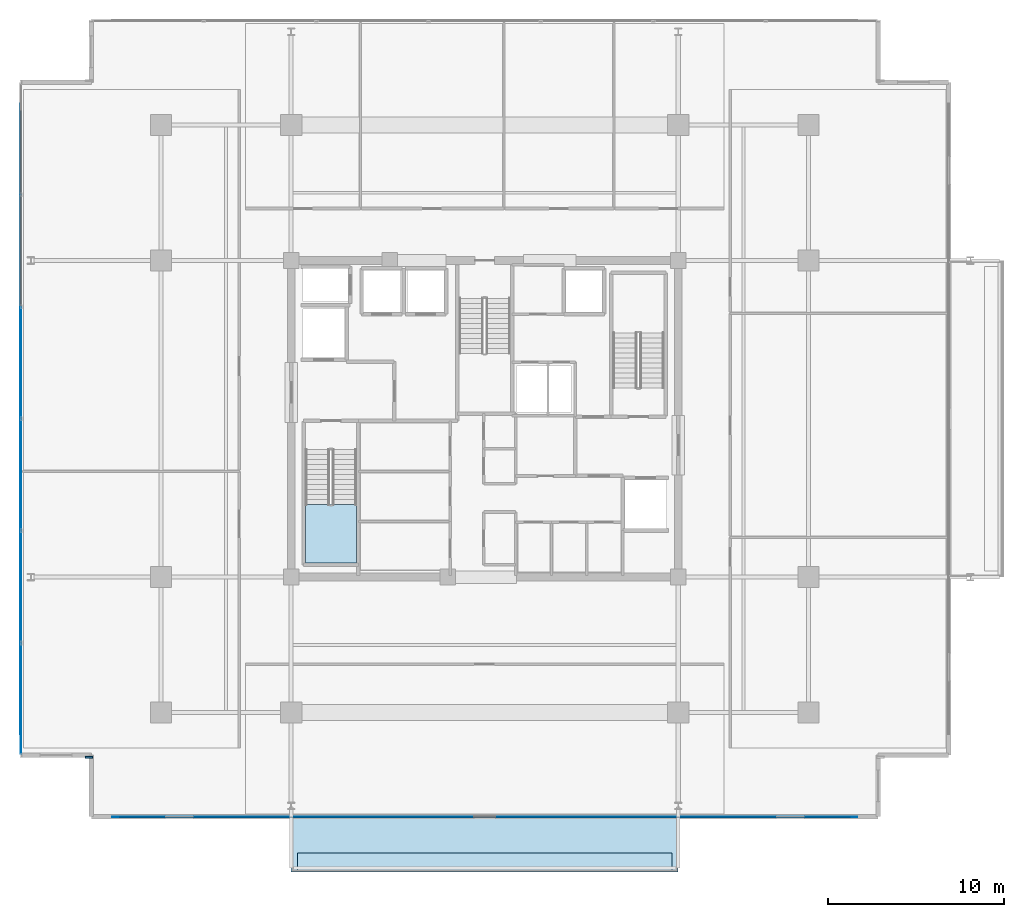
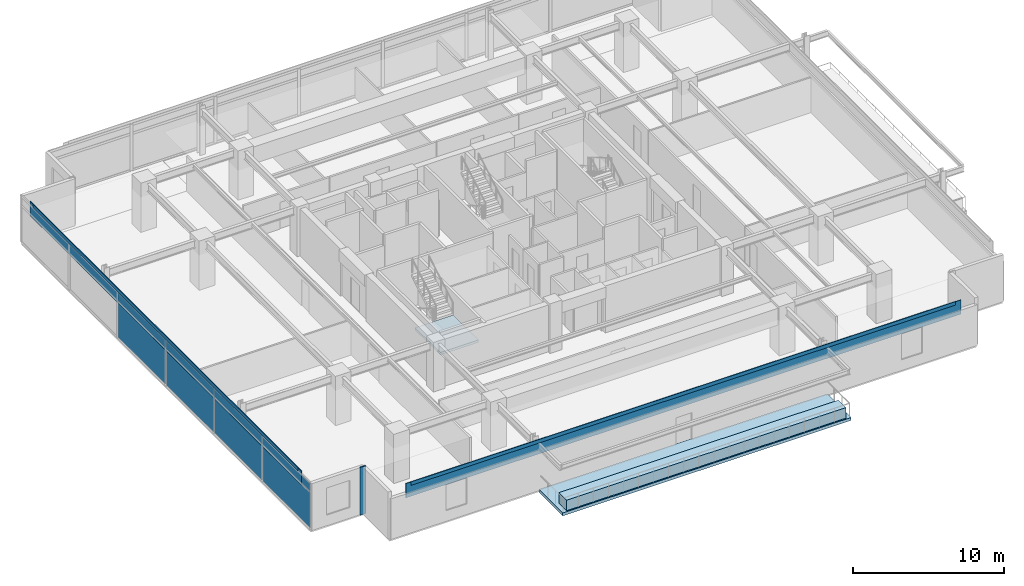
# One storey, part 13 of 24: 13 plates, 3 slabs, 2 elements without a shape of their own.
"""IFC4 building model written with IfcOpenShell, lengths in metres."""

from ifc_helpers import new_model, si_unit, direction, frame, origin, origin_2d, place, context, subcontext, project, spatial, polyline, rectangle, outline, extrude, material, layer, layer_set, type_object, element, aggregate, save


model = new_model("IFC4")

# Units and contexts
model_context = context("Model", 3, precision=1e-05, world=origin(), true_north=direction((0.0, 1.0)))
body_context = subcontext(model_context, "Body", "Model", "MODEL_VIEW")
ifc_project = project(units=[si_unit("LENGTHUNIT", "METRE"), si_unit("AREAUNIT", "SQUARE_METRE"), si_unit("VOLUMEUNIT", "CUBIC_METRE"), si_unit("PLANEANGLEUNIT", "RADIAN"), si_unit("MASSUNIT", "GRAM", prefix="KILO")], contexts=[model_context])

# Site, building, storey
site_placement = place(None, origin())
site = spatial("IfcSite", under=ifc_project, at=site_placement, CompositionType="ELEMENT")
building_placement = place(site_placement, origin())
building = spatial("IfcBuilding", under=site, at=building_placement, Name="Kovane Verandah Tower", CompositionType="ELEMENT")
storey_placement = place(building_placement, frame((0.0, 0.0, 259.199951171875)))
storey = spatial("IfcBuildingStorey", under=building, at=storey_placement, Name="L60", CompositionType="ELEMENT", Elevation=259.199951171875)

# Curtain wall, plates
ifc_material_1 = material(Name="Champagne Anodised Aluminium Frame with Low-E Clear Laminated Glass", Category="aluminium")
curtain_wall_type = type_object("IfcCurtainWallType", Name="CW-SYS-05-HIGH", PredefinedType="NOTDEFINED", material=ifc_material_1)
curtain_wall_placement = place(storey_placement, origin())
curtain_wall = element("IfcCurtainWall", 1, at=curtain_wall_placement, inside=storey, type_object=curtain_wall_type, Name="L60 W Unitised Curtain Wall", PredefinedType="NOTDEFINED")
ifc_material_2 = material(Name="Pale Champagne Anodised Aluminium Insulated Spandrel", Category="aluminium")
ifc_layer_1 = layer(ifc_material_2, 0.0400390625)
ifc_layer_set_1 = layer_set([ifc_layer_1], Name="Pale Champagne Anodised Aluminium Insulated Spandrel")
plate_type_1 = type_object("IfcPlateType", Name="PL-CW-SPD-40", PredefinedType="SHEET", material=ifc_layer_set_1)
plate_1_placement = place(storey_placement, frame((13.633544921875, 30.686279296875, 3.05517578125), z_axis=(0.0, 0.0, 1.0), x_axis=(0.0, -1.0, 0.0)))
plate_1 = element("IfcPlate", 2, at=plate_1_placement, type_object=plate_type_1, Name="L60 W Unitised Curtain Wall Spandrel Panel 3", PredefinedType="SHEET", context=body_context, shape_type="SweptSolid", body=[
    extrude(rectangle(XDim=6.232666015625, YDim=0.0400390625, at=origin_2d()), origin(), (0.0, 0.0, 1.0), 0.639892578125),
])
plate_2_placement = place(storey_placement, frame((13.633544921875, 24.313720703125, 3.05517578125), z_axis=(0.0, 0.0, 1.0), x_axis=(0.0, -1.0, 0.0)))
plate_2 = element("IfcPlate", 3, at=plate_2_placement, type_object=plate_type_1, Name="L60 W Unitised Curtain Wall Spandrel Panel 4", PredefinedType="SHEET", context=body_context, shape_type="SweptSolid", body=[
    extrude(rectangle(XDim=6.232666015625, YDim=0.0400390625, at=origin_2d()), origin(), (0.0, 0.0, 1.0), 0.639892578125),
])
plate_3_placement = place(storey_placement, frame((13.633544921875, 17.94091796875, 3.05517578125), z_axis=(0.0, 0.0, 1.0), x_axis=(0.0, -1.0, 0.0)))
plate_3 = element("IfcPlate", 4, at=plate_3_placement, type_object=plate_type_1, Name="L60 W Unitised Curtain Wall Spandrel Panel 5", PredefinedType="SHEET", context=body_context, shape_type="SweptSolid", body=[
    extrude(rectangle(XDim=6.232666015625, YDim=0.0400390625, at=origin_2d()), origin(), (0.0, 0.0, 1.0), 0.639892578125),
])
plate_4_placement = place(storey_placement, frame((13.633544921875, 11.568115234375, 3.05517578125), z_axis=(0.0, 0.0, 1.0), x_axis=(0.0, -1.0, 0.0)))
plate_4 = element("IfcPlate", 5, at=plate_4_placement, type_object=plate_type_1, Name="L60 W Unitised Curtain Wall Spandrel Panel 6", PredefinedType="SHEET", context=body_context, shape_type="SweptSolid", body=[
    extrude(rectangle(XDim=6.232666015625, YDim=0.0400390625, at=origin_2d()), origin(), (0.0, 0.0, 1.0), 0.639892578125),
])
ifc_material_3 = material(Name="Clear Low-E Laminated Double Glazing", Category="glass")
ifc_layer_2 = layer(ifc_material_3, 0.031982421875)
ifc_layer_set_2 = layer_set([ifc_layer_2], Name="Clear Low-E Laminated Double Glazing")
plate_type_2 = type_object("IfcPlateType", Name="PL-CW-VIS-32", PredefinedType="CURTAIN_PANEL", material=ifc_layer_set_2)
plate_5_placement = place(storey_placement, frame((13.633544921875, 30.686279296875, 0.10009765625), z_axis=(0.0, 0.0, 1.0), x_axis=(0.0, -1.0, 0.0)))
plate_5 = element("IfcPlate", 6, at=plate_5_placement, type_object=plate_type_2, Name="L60 W Unitised Curtain Wall Vision Panel 3", PredefinedType="CURTAIN_PANEL", context=body_context, shape_type="SweptSolid", body=[
    extrude(rectangle(XDim=6.232666015625, YDim=0.031982421875, at=origin_2d()), origin(), (0.0, 0.0, 1.0), 2.85498046875),
])
plate_6_placement = place(storey_placement, frame((13.633544921875, 24.313720703125, 0.10009765625), z_axis=(0.0, 0.0, 1.0), x_axis=(0.0, -1.0, 0.0)))
plate_6 = element("IfcPlate", 7, at=plate_6_placement, type_object=plate_type_2, Name="L60 W Unitised Curtain Wall Vision Panel 4", PredefinedType="CURTAIN_PANEL", context=body_context, shape_type="SweptSolid", body=[
    extrude(rectangle(XDim=6.232666015625, YDim=0.031982421875, at=origin_2d()), origin(), (0.0, 0.0, 1.0), 2.85498046875),
])
plate_7_placement = place(storey_placement, frame((13.633544921875, 17.94091796875, 0.10009765625), z_axis=(0.0, 0.0, 1.0), x_axis=(0.0, -1.0, 0.0)))
plate_7 = element("IfcPlate", 8, at=plate_7_placement, type_object=plate_type_2, Name="L60 W Unitised Curtain Wall Vision Panel 5", PredefinedType="CURTAIN_PANEL", context=body_context, shape_type="SweptSolid", body=[
    extrude(rectangle(XDim=6.232666015625, YDim=0.031982421875, at=origin_2d()), origin(), (0.0, 0.0, 1.0), 2.85498046875),
])
plate_8_placement = place(storey_placement, frame((13.633544921875, 11.568115234375, 0.10009765625), z_axis=(0.0, 0.0, 1.0), x_axis=(0.0, -1.0, 0.0)))
plate_8 = element("IfcPlate", 9, at=plate_8_placement, type_object=plate_type_2, Name="L60 W Unitised Curtain Wall Vision Panel 6", PredefinedType="CURTAIN_PANEL", context=body_context, shape_type="SweptSolid", body=[
    extrude(rectangle(XDim=6.232666015625, YDim=0.031982421875, at=origin_2d()), origin(), (0.0, 0.0, 1.0), 2.85498046875),
])
aggregate(curtain_wall, [plate_5, plate_1, plate_6, plate_2, plate_7, plate_3, plate_8, plate_4])

# Plates
ifc_material_4 = material(Name="Timber-Toned Subtropical Aluminium Vertical Blade", Category="wood")
ifc_layer_3 = layer(ifc_material_4, 0.090087890625)
ifc_layer_set_3 = layer_set([ifc_layer_3], Name="Timber-Toned Subtropical Aluminium Vertical Blade")
plate_type_3 = type_object("IfcPlateType", Name="PL-FIN-90", PredefinedType="USERDEFINED", material=ifc_layer_set_3)
plate_9_placement = place(storey_placement, frame((17.513427734375, 8.26171875, -0.02001953125), z_axis=(0.0, 0.0, 1.0), x_axis=(1.0, 0.0, 0.0)))
element("IfcPlate", 10, at=plate_9_placement, inside=storey, type_object=plate_type_3, Name="L60 SW Timber-Toned Vertical Corner Fin", ObjectType="FIN", PredefinedType="USERDEFINED", context=body_context, shape_type="SweptSolid", body=[
    extrude(rectangle(XDim=0.419921875, YDim=0.090087890625, at=origin_2d()), origin(), (0.0, 0.0, 1.0), 3.844970703125),
])
ifc_material_5 = material(Name="Perforated Pale Champagne Anodised Aluminium Solar Screen", Category="aluminium")
ifc_layer_4 = layer(ifc_material_5, 0.050048828125)
ifc_layer_set_4 = layer_set([ifc_layer_4], Name="Perforated Pale Champagne Anodised Aluminium Solar Screen")
plate_type_4 = type_object("IfcPlateType", Name="PL-SCREEN-50", PredefinedType="USERDEFINED", material=ifc_layer_set_4)
plate_10_placement = place(storey_placement, frame((40.0, 4.86669921875, 2.885009765625), z_axis=(0.0, 0.0, 1.0), x_axis=(1.0, 0.0, 0.0)))
element("IfcPlate", 11, at=plate_10_placement, inside=storey, type_object=plate_type_4, Name="L60 S Perforated Champagne-Gold Solar Screen", ObjectType="SCREEN", PredefinedType="USERDEFINED", context=body_context, shape_type="SweptSolid", body=[
    extrude(rectangle(XDim=42.3330078125, YDim=0.050048828125, at=origin_2d()), origin(), (0.0, 0.0, 1.0), 1.14990234375),
])
plate_11_placement = place(storey_placement, frame((13.618408203125, 27.5, 2.885009765625), z_axis=(0.0, 0.0, 1.0), x_axis=(0.0, -1.0, 0.0)))
element("IfcPlate", 12, at=plate_11_placement, inside=storey, type_object=plate_type_4, Name="L60 W Perforated Champagne-Gold Solar Screen", ObjectType="SCREEN", PredefinedType="USERDEFINED", context=body_context, shape_type="SweptSolid", body=[
    extrude(rectangle(XDim=35.8359375, YDim=0.050048828125, at=origin_2d()), origin(), (0.0, 0.0, 1.0), 1.14990234375),
])
ifc_material_6 = material(Name="Extruded Pale-Bronze Aluminium Aerofoil Sunshade", Category="aluminium")
ifc_layer_5 = layer(ifc_material_6, 0.06005859375)
ifc_layer_set_5 = layer_set([ifc_layer_5], Name="Extruded Pale-Bronze Aluminium Aerofoil Sunshade")
plate_type_5 = type_object("IfcPlateType", Name="PL-SUNSHADE-60", PredefinedType="USERDEFINED", material=ifc_layer_set_5)
plate_12_placement = place(storey_placement, frame((40.0, 4.86181640625, 3.76513671875), z_axis=(0.0, 0.0, 1.0), x_axis=(1.0, 0.0, 0.0)))
element("IfcPlate", 13, at=plate_12_placement, inside=storey, type_object=plate_type_5, Name="L60 S Subtropical Aerofoil Sunshade", ObjectType="SUNSHADE", PredefinedType="USERDEFINED", context=body_context, shape_type="SweptSolid", body=[
    extrude(rectangle(XDim=41.532958984375, YDim=0.06005859375, at=origin_2d()), origin(), (0.0, 0.0, 1.0), 0.280029296875),
])
plate_13_placement = place(storey_placement, frame((13.613525390625, 27.5, 3.76513671875), z_axis=(0.0, 0.0, 1.0), x_axis=(0.0, -1.0, 0.0)))
element("IfcPlate", 14, at=plate_13_placement, inside=storey, type_object=plate_type_5, Name="L60 W Subtropical Aerofoil Sunshade", ObjectType="SUNSHADE", PredefinedType="USERDEFINED", context=body_context, shape_type="SweptSolid", body=[
    extrude(rectangle(XDim=35.035888671875, YDim=0.06005859375, at=origin_2d()), origin(), (0.0, 0.0, 1.0), 0.280029296875),
])

# Slab
ifc_material_7 = material(Name="Concrete C45/55", Category="concrete")
ifc_layer_6 = layer(ifc_material_7, 0.239990234375)
ifc_layer_set_6 = layer_set([ifc_layer_6], Name="Concrete C45/55")
slab_type_1 = type_object("IfcSlabType", Name="SL-BALC-240", PredefinedType="FLOOR", material=ifc_layer_set_6)
slab_1_placement = place(storey_placement, frame((0.0, 0.0, -0.239990234375)))
element("IfcSlab", 15, at=slab_1_placement, inside=storey, type_object=slab_type_1, Name="L60 S Planted Verandah Balcony Slab", PredefinedType="FLOOR", context=body_context, shape_type="SweptSolid", body=[
    extrude(outline(polyline([(29.0, 1.731689453125), (51.0, 1.731689453125), (51.0, 4.8818359375), (29.0, 4.8818359375), (29.0, 1.731689453125)])), origin(), (0.0, 0.0, 1.0), 0.239990234375),
])

# Stair, slab
stair_type = type_object("IfcStairType", Name="ST-CORE-1380", PredefinedType="HALF_TURN_STAIR", material=ifc_material_7)
stair_placement = place(storey_placement, origin())
stair = element("IfcStair", 16, at=stair_placement, inside=storey, type_object=stair_type, Name="L60 Exit Stair ST-01", PredefinedType="HALF_TURN_STAIR")
ifc_layer_7 = layer(ifc_material_7, 0.199951171875)
ifc_layer_set_7 = layer_set([ifc_layer_7], Name="Concrete C45/55")
slab_type_2 = type_object("IfcSlabType", Name="SL-LAND-200", PredefinedType="LANDING", material=ifc_layer_set_7)
slab_2_placement = place(storey_placement, frame((0.0, 0.0, 1.800048828125)))
slab_2 = element("IfcSlab", 17, at=slab_2_placement, type_object=slab_type_2, Name="ST-01 landing 1", PredefinedType="LANDING", context=body_context, shape_type="SweptSolid", body=[
    extrude(outline(polyline([(29.800048828125, 22.614990234375), (29.800048828125, 19.300048828125), (32.719970703125, 19.300048828125), (32.719970703125, 22.614990234375), (29.800048828125, 22.614990234375)])), origin(), (0.0, 0.0, 1.0), 0.199951171875),
])
aggregate(stair, [slab_2])

# Slab
ifc_material_8 = material(Name="Architectural Precast Concrete C45/55 Planter Trough", Category="concrete")
ifc_layer_8 = layer(ifc_material_8, 0.219970703125)
ifc_layer_set_8 = layer_set([ifc_layer_8], Name="Architectural Precast Concrete C45/55 Planter Trough")
slab_type_3 = type_object("IfcSlabType", Name="SL-PLANTER-220", PredefinedType="USERDEFINED", material=ifc_layer_set_8)
slab_3_placement = place(storey_placement, origin())
element("IfcSlab", 18, at=slab_3_placement, inside=storey, type_object=slab_type_3, Name="L60 S Structural Tree Planter", ObjectType="PLANTER", PredefinedType="USERDEFINED", context=body_context, shape_type="SweptSolid", body=[
    extrude(outline(polyline([(29.35009765625, 1.831787109375), (50.64990234375, 1.831787109375), (50.64990234375, 2.831787109375), (29.35009765625, 2.831787109375), (29.35009765625, 1.831787109375)])), origin(), (0.0, 0.0, 1.0), 0.85009765625),
])

save(model, "model.ifc")
